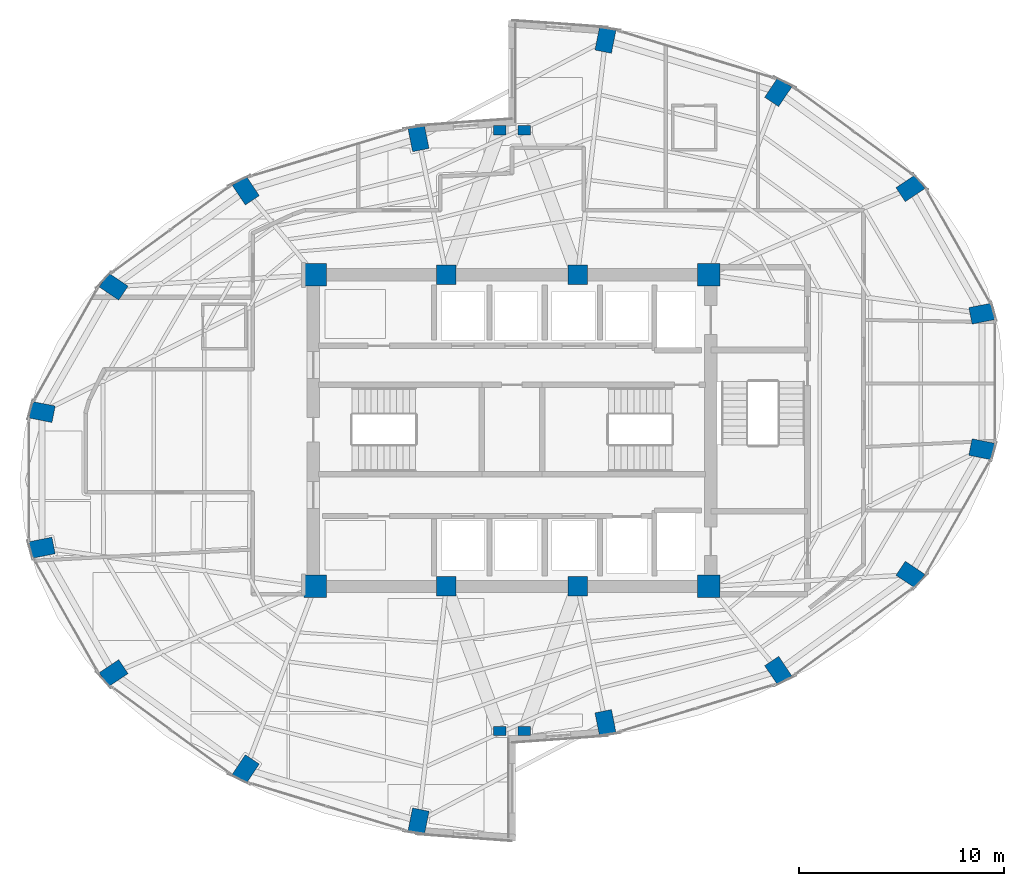
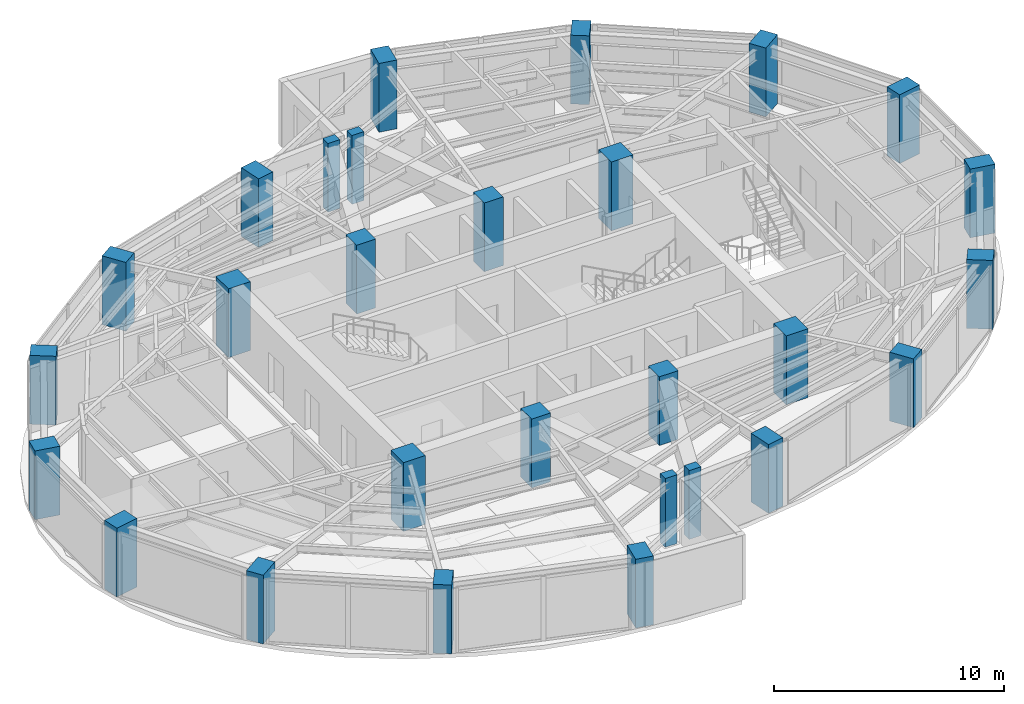
# One storey, part 1 of 20: 28 columns.
"""IFC4 building model written with IfcOpenShell, lengths in metres."""

from ifc_helpers import new_model, si_unit, direction, frame, origin, origin_2d, place, context, subcontext, project, spatial, rectangle, extrude, material, material_profile, profile_set, type_object, element, save


model = new_model("IFC4")

# Units and contexts
model_context = context("Model", 3, precision=1e-05, world=origin(), true_north=direction((0.0, 1.0)))
body_context = subcontext(model_context, "Body", "Model", "MODEL_VIEW")
ifc_project = project(units=[si_unit("LENGTHUNIT", "METRE"), si_unit("AREAUNIT", "SQUARE_METRE"), si_unit("VOLUMEUNIT", "CUBIC_METRE"), si_unit("PLANEANGLEUNIT", "RADIAN"), si_unit("MASSUNIT", "GRAM", prefix="KILO")], contexts=[model_context])

# Site, building, storey
site_placement = place(None, origin())
site = spatial("IfcSite", under=ifc_project, at=site_placement, CompositionType="ELEMENT")
building_placement = place(site_placement, origin())
building = spatial("IfcBuilding", under=site, at=building_placement, Name="Lazwardi Medical Tower", CompositionType="ELEMENT")
storey_placement = place(building_placement, frame((0.0, 0.0, 145.583984375)))
storey = spatial("IfcBuildingStorey", under=building, at=storey_placement, Name="L37", CompositionType="ELEMENT", Elevation=145.583984375)

# Columns
ifc_material_1 = material(Name="Concrete C80/95", Category="concrete")
ifc_material_profile_1 = material_profile(ifc_material_1, rectangle(XDim=1.10009765625, YDim=1.10009765625, at=origin_2d()), Name="RC 1100x1100")
ifc_profile_set_1 = profile_set([ifc_material_profile_1], Name="Concrete C80/95")
column_type_1 = type_object("IfcColumnType", Name="COL-CC-L", PredefinedType="COLUMN", material=ifc_profile_set_1)
for number, where, z_axis, x_axis, name in (
    (1, (26.39990234375, 20.39990234375, 0.0), (0.0, 0.0, 1.0), (1.0, 0.0, 0.0), "Core column CC-01 CC1 L37"),
    (2, (45.60009765625, 20.39990234375, 0.0), (0.0, 0.0, 1.0), (1.0, 0.0, 0.0), "Core column CC-01 CC4 L37"),
    (3, (45.60009765625, 35.60009765625, 0.0), (0.0, 0.0, 1.0), (1.0, 0.0, 0.0), "Core column CC-01 CC5 L37"),
    (4, (26.39990234375, 35.60009765625, 0.0), (0.0, 0.0, 1.0), (1.0, 0.0, 0.0), "Core column CC-01 CC8 L37"),
):
    element("IfcColumn", number, at=place(storey_placement, frame(where, z_axis=z_axis, x_axis=x_axis)), inside=storey, type_object=column_type_1, Name=name, PredefinedType="COLUMN", context=body_context, shape_type="SweptSolid", body=[
        extrude(rectangle(XDim=1.10009765625, YDim=1.10009765625, at=origin_2d()), origin(), (0.0, 0.0, 1.0), 3.64794921875),
    ])
ifc_material_2 = material(Name="Concrete C70/85", Category="concrete")
ifc_material_profile_2 = material_profile(ifc_material_2, rectangle(XDim=0.949951171875, YDim=0.949951171875, at=origin_2d()), Name="RC 950x950")
ifc_profile_set_2 = profile_set([ifc_material_profile_2], Name="Concrete C70/85")
column_type_2 = type_object("IfcColumnType", Name="COL-CC-M", PredefinedType="COLUMN", material=ifc_profile_set_2)
for number, where, z_axis, x_axis, name in (
    (5, (32.800048828125, 20.39990234375, 0.0), (0.0, 0.0, 1.0), (1.0, 0.0, 0.0), "Core column CC-02 CC2 L37"),
    (6, (39.199951171875, 20.39990234375, 0.0), (0.0, 0.0, 1.0), (1.0, 0.0, 0.0), "Core column CC-02 CC3 L37"),
    (7, (39.199951171875, 35.60009765625, 0.0), (0.0, 0.0, 1.0), (1.0, 0.0, 0.0), "Core column CC-02 CC6 L37"),
    (8, (32.800048828125, 35.60009765625, 0.0), (0.0, 0.0, 1.0), (1.0, 0.0, 0.0), "Core column CC-02 CC7 L37"),
):
    element("IfcColumn", number, at=place(storey_placement, frame(where, z_axis=z_axis, x_axis=x_axis)), inside=storey, type_object=column_type_2, Name=name, PredefinedType="COLUMN", context=body_context, shape_type="SweptSolid", body=[
        extrude(rectangle(XDim=0.949951171875, YDim=0.949951171875, at=origin_2d()), origin(), (0.0, 0.0, 1.0), 3.64794921875),
    ])
ifc_material_3 = material(Name="Concrete C60/75", Category="concrete")
ifc_material_profile_3 = material_profile(ifc_material_3, rectangle(XDim=1.14990234375, YDim=0.820068359375, at=origin_2d()), Name="CFT-RECT 1150x820")
ifc_profile_set_3 = profile_set([ifc_material_profile_3], Name="Concrete C60/75")
column_type_3 = type_object("IfcColumnType", Name="COL-MC-Z3", PredefinedType="COLUMN", material=ifc_profile_set_3)
for number, where, z_axis, x_axis, name in (
    (9, (40.560302734375, 13.751220703125, 0.0), (0.0, 0.0, 1.0), (0.195090322016, -0.980785280403, 0.0), "Mega column MC-05 M01 L37"),
    (10, (48.986572265625, 16.285888671875, 0.0), (0.0, 0.0, 1.0), (0.55557023302, -0.831469612303, 0.0), "Mega column MC-05 M02 L37"),
    (11, (55.435546875, 20.96923828125, 0.0), (0.0, 0.0, 1.0), (0.831469612303, -0.55557023302, 0.0), "Mega column MC-05 M03 L37"),
    (12, (58.92578125, 27.08837890625, 0.0), (0.0, 0.0, 1.0), (0.980785280403, -0.195090322016, 0.0), "Mega column MC-05 M04 L37"),
    (13, (58.92578125, 33.711669921875, 0.0), (0.0, 0.0, 1.0), (0.980785280403, 0.195090322016, 0.0), "Mega column MC-05 M05 L37"),
    (14, (55.435546875, 39.830810546875, 0.0), (0.0, 0.0, 1.0), (0.831469612303, 0.55557023302, 0.0), "Mega column MC-05 M06 L37"),
    (15, (48.986572265625, 44.51416015625, 0.0), (0.0, 0.0, 1.0), (0.55557023302, 0.831469612303, 0.0), "Mega column MC-05 M07 L37"),
    (16, (40.560302734375, 47.048828125, 0.0), (0.0, 0.0, 1.0), (0.195090322016, 0.980785280403, 0.0), "Mega column MC-05 M08 L37"),
    (17, (31.439697265625, 42.248779296875, 0.0), (0.0, 0.0, 1.0), (-0.195090322016, 0.980785280403, 0.0), "Mega column MC-05 M09 L37"),
    (18, (23.013427734375, 39.714111328125, 0.0), (0.0, 0.0, 1.0), (-0.55557023302, 0.831469612303, 0.0), "Mega column MC-05 M10 L37"),
    (19, (16.564453125, 35.03076171875, 0.0), (0.0, 0.0, 1.0), (-0.831469612303, 0.55557023302, 0.0), "Mega column MC-05 M11 L37"),
    (20, (13.07421875, 28.91162109375, 0.0), (0.0, 0.0, 1.0), (-0.980785280403, 0.195090322016, 0.0), "Mega column MC-05 M12 L37"),
    (21, (13.07421875, 22.288330078125, 0.0), (0.0, 0.0, 1.0), (-0.980785280403, -0.195090322016, 0.0), "Mega column MC-05 M13 L37"),
    (22, (16.564453125, 16.169189453125, 0.0), (0.0, 0.0, 1.0), (-0.831469612303, -0.55557023302, 0.0), "Mega column MC-05 M14 L37"),
    (23, (23.013427734375, 11.48583984375, 0.0), (0.0, 0.0, 1.0), (-0.55557023302, -0.831469612303, 0.0), "Mega column MC-05 M15 L37"),
    (24, (31.439697265625, 8.951171875, 0.0), (0.0, 0.0, 1.0), (-0.195090322016, -0.980785280403, 0.0), "Mega column MC-05 M16 L37"),
):
    element("IfcColumn", number, at=place(storey_placement, frame(where, z_axis=z_axis, x_axis=x_axis)), inside=storey, type_object=column_type_3, Name=name, PredefinedType="COLUMN", context=body_context, shape_type="SweptSolid", body=[
        extrude(rectangle(XDim=1.14990234375, YDim=0.820068359375, at=origin_2d()), origin(), (0.0, 0.0, 1.0), 3.64794921875),
    ])
ifc_material_profile_4 = material_profile(ifc_material_3, rectangle(XDim=0.60009765625, YDim=0.449951171875, at=origin_2d()), Name="RC 600x450")
ifc_profile_set_4 = profile_set([ifc_material_profile_4], Name="Concrete C60/75")
column_type_4 = type_object("IfcColumnType", Name="COL-PL-IW", PredefinedType="PILASTER", material=ifc_profile_set_4)
for number, where, z_axis, x_axis, name in (
    (25, (35.39990234375, 42.64990234375, 0.0), (0.0, 0.0, 1.0), (1.0, 0.0, 0.0), "Iwan pilaster column PL-C1 PL1 L37"),
    (26, (36.60009765625, 42.64990234375, 0.0), (0.0, 0.0, 1.0), (1.0, 0.0, 0.0), "Iwan pilaster column PL-C1 PL2 L37"),
    (27, (35.39990234375, 13.35009765625, 0.0), (0.0, 0.0, 1.0), (1.0, 0.0, 0.0), "Iwan pilaster column PL-C1 PL3 L37"),
    (28, (36.60009765625, 13.35009765625, 0.0), (0.0, 0.0, 1.0), (1.0, 0.0, 0.0), "Iwan pilaster column PL-C1 PL4 L37"),
):
    element("IfcColumn", number, at=place(storey_placement, frame(where, z_axis=z_axis, x_axis=x_axis)), inside=storey, type_object=column_type_4, Name=name, PredefinedType="PILASTER", context=body_context, shape_type="SweptSolid", body=[
        extrude(rectangle(XDim=0.60009765625, YDim=0.449951171875, at=origin_2d()), origin(), (0.0, 0.0, 1.0), 3.64794921875),
    ])

save(model, "model.ifc")
